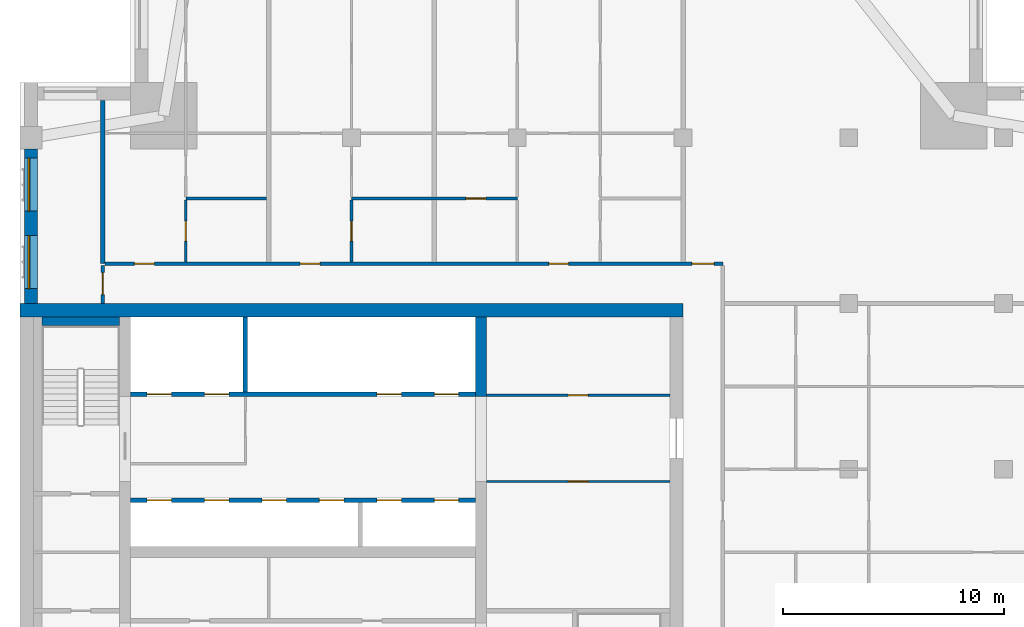
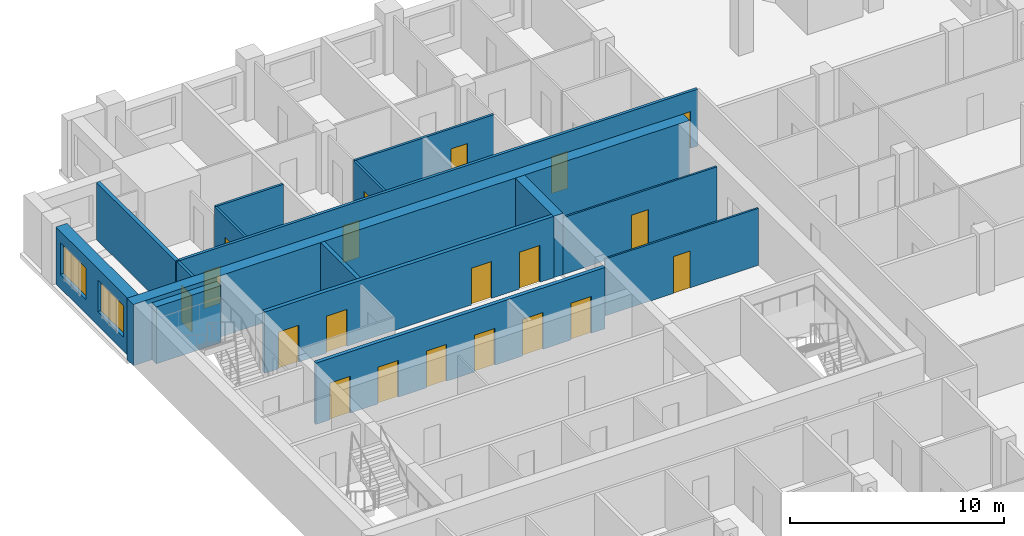
# One storey, part 6 of 11: 20 doors, 16 walls, 2 windows, 22 openings.
"""IFC4 building model written with IfcOpenShell, lengths in metres."""

from ifc_helpers import new_model, si_unit, direction, frame, frame_2d, origin, place, context, subcontext, project, spatial, rectangle, extrude, material, layer, layer_set, type_object, element, fill, save


model = new_model("IFC4")

# Units and contexts
model_context = context("Model", 3, precision=1e-05, world=origin(), true_north=direction((0.0, 1.0)))
body_context = subcontext(model_context, "Body", "Model", "MODEL_VIEW")
ifc_project = project(units=[si_unit("LENGTHUNIT", "METRE"), si_unit("AREAUNIT", "SQUARE_METRE"), si_unit("VOLUMEUNIT", "CUBIC_METRE"), si_unit("PLANEANGLEUNIT", "RADIAN"), si_unit("MASSUNIT", "GRAM", prefix="KILO")], contexts=[model_context])

# Site, building, storey
site_placement = place(None, origin())
site = spatial("IfcSite", under=ifc_project, at=site_placement, CompositionType="ELEMENT")
building_placement = place(site_placement, origin())
building = spatial("IfcBuilding", under=site, at=building_placement, Name="Tamorin Gate", CompositionType="ELEMENT")
storey_placement = place(building_placement, frame((0.0, 0.0, 244.199951171875)))
storey = spatial("IfcBuildingStorey", under=building, at=storey_placement, Name="L61", CompositionType="ELEMENT", Elevation=244.199951171875)

# Wall, openings, windows
ifc_material_1 = material(Name="Precast concrete C40/50", Category="concrete")
ifc_layer_1 = layer(ifc_material_1, 0.60009765625)
ifc_layer_set_1 = layer_set([ifc_layer_1], Name="Precast concrete C40/50")
wall_type_1 = type_object("IfcWallType", Name="Board-marked concrete facade panel 600", PredefinedType="SOLIDWALL", material=ifc_layer_set_1)
wall_1_placement = place(storey_placement, frame((30.5, 89.5, 0.0), z_axis=(0.0, 0.0, 1.0), x_axis=(0.0, -1.0, 0.0)))
wall_1 = element("IfcWall", 1, at=wall_1_placement, inside=storey, type_object=wall_type_1, Name="Facade panel", PredefinedType="SOLIDWALL", context=body_context, shape_type="SweptSolid", body=[
    extrude(rectangle(XDim=7.0, YDim=0.60009765625, at=frame_2d((3.5, 0.0))), origin(), (0.0, 0.0, 1.0), 3.25),
])
opening_1_placement = place(wall_1_placement, frame((3.925048828125, 0.0, 0.800048828125)))
opening_1 = element("IfcOpeningElement", 2, at=opening_1_placement, cuts=wall_1, Name="Opening WN1", PredefinedType="OPENING", context=body_context, shape_type="SweptSolid", body=[
    extrude(rectangle(XDim=2.39990234375, YDim=1.800048828125, at=frame_2d((1.199951171875, 0.89990234375))), frame((0.0, 0.31005859375, 0.0), z_axis=(0.0, -1.0, 0.0), x_axis=(1.0, 0.0, 0.0)), (0.0, 0.0, 1.0), 0.6201171875),
])
opening_2_placement = place(wall_1_placement, frame((0.425048828125, 0.0, 0.800048828125)))
opening_2 = element("IfcOpeningElement", 3, at=opening_2_placement, cuts=wall_1, Name="Opening WN1", PredefinedType="OPENING", context=body_context, shape_type="SweptSolid", body=[
    extrude(rectangle(XDim=2.39990234375, YDim=1.800048828125, at=frame_2d((1.199951171875, 0.89990234375))), frame((0.0, 0.31005859375, 0.0), z_axis=(0.0, -1.0, 0.0), x_axis=(1.0, 0.0, 0.0)), (0.0, 0.0, 1.0), 0.6201171875),
])
ifc_material_2 = material(Name="Clear glass in aluminium frame", Category="aluminium")
window_type = type_object("IfcWindowType", Name="Deep-set window 2400x1800", PartitioningType="SINGLE_PANEL", PredefinedType="WINDOW", material=ifc_material_2)
window_1_placement = place(opening_1_placement, origin())
window_1 = element("IfcWindow", 4, at=window_1_placement, inside=storey, type_object=window_type, Name="Deep-set window", OverallHeight=1.800048828125, OverallWidth=2.39990234375, PartitioningType="SINGLE_PANEL", PredefinedType="WINDOW", context=body_context, shape_type="SweptSolid", body=[
    extrude(rectangle(XDim=2.39990234375, YDim=1.800048828125, at=frame_2d((1.199951171875, 0.89990234375))), frame((0.0, -0.070068359375, 0.0), z_axis=(0.0, -1.0, 0.0), x_axis=(1.0, 0.0, 0.0)), (0.0, 0.0, 1.0), 0.06005859375),
])
fill(opening_1, window_1)
window_2_placement = place(opening_2_placement, origin())
window_2 = element("IfcWindow", 5, at=window_2_placement, inside=storey, type_object=window_type, Name="Deep-set window", OverallHeight=1.800048828125, OverallWidth=2.39990234375, PartitioningType="SINGLE_PANEL", PredefinedType="WINDOW", context=body_context, shape_type="SweptSolid", body=[
    extrude(rectangle(XDim=2.39990234375, YDim=1.800048828125, at=frame_2d((1.199951171875, 0.89990234375))), frame((0.0, -0.070068359375, 0.0), z_axis=(0.0, -1.0, 0.0), x_axis=(1.0, 0.0, 0.0)), (0.0, 0.0, 1.0), 0.06005859375),
])
fill(opening_2, window_2)

# Wall, openings, doors
ifc_material_3 = material(Name="Gypsum board partition")
ifc_layer_2 = layer(ifc_material_3, 0.14990234375)
ifc_layer_set_2 = layer_set([ifc_layer_2], Name="Corridor wall 150")
wall_type_2 = type_object("IfcWallType", Name="Corridor wall 150", PredefinedType="PARTITIONING", material=ifc_layer_set_2)
wall_2_placement = place(storey_placement, frame((33.85009765625, 84.300048828125, 0.0), z_axis=(0.0, 0.0, 1.0), x_axis=(1.0, 0.0, 0.0)))
wall_2 = element("IfcWall", 6, at=wall_2_placement, inside=storey, type_object=wall_type_2, Name="Corridor wall 150", PredefinedType="PARTITIONING", context=body_context, shape_type="SweptSolid", body=[
    extrude(rectangle(XDim=27.949951171875, YDim=0.14990234375, at=frame_2d((13.97509765625, 0.0))), origin(), (0.0, 0.0, 1.0), 3.25),
])
opening_3_placement = place(wall_2_placement, frame((1.324951171875, 0.0, 0.0)))
opening_3 = element("IfcOpeningElement", 7, at=opening_3_placement, cuts=wall_2, Name="Opening DR7022", PredefinedType="OPENING", context=body_context, shape_type="SweptSolid", body=[
    extrude(rectangle(XDim=0.89990234375, YDim=2.10009765625, at=frame_2d((0.449951171875, 1.050048828125))), frame((0.0, 0.0849609375, 0.0), z_axis=(0.0, -1.0, 0.0), x_axis=(1.0, 0.0, 0.0)), (0.0, 0.0, 1.0), 0.169921875),
])
opening_4_placement = place(wall_2_placement, frame((8.824951171875, 0.0, 0.0)))
opening_4 = element("IfcOpeningElement", 8, at=opening_4_placement, cuts=wall_2, Name="Opening DR7027", PredefinedType="OPENING", context=body_context, shape_type="SweptSolid", body=[
    extrude(rectangle(XDim=0.89990234375, YDim=2.10009765625, at=frame_2d((0.449951171875, 1.050048828125))), frame((0.0, 0.0849609375, 0.0), z_axis=(0.0, -1.0, 0.0), x_axis=(1.0, 0.0, 0.0)), (0.0, 0.0, 1.0), 0.169921875),
])
opening_5_placement = place(wall_2_placement, frame((20.074951171875, 0.0, 0.0)))
opening_5 = element("IfcOpeningElement", 9, at=opening_5_placement, cuts=wall_2, Name="Opening DR7034", PredefinedType="OPENING", context=body_context, shape_type="SweptSolid", body=[
    extrude(rectangle(XDim=0.89990234375, YDim=2.10009765625, at=frame_2d((0.449951171875, 1.050048828125))), frame((0.0, 0.0849609375, 0.0), z_axis=(0.0, -1.0, 0.0), x_axis=(1.0, 0.0, 0.0)), (0.0, 0.0, 1.0), 0.169921875),
])
opening_6_placement = place(wall_2_placement, frame((26.550048828125, 0.0, 0.0)))
opening_6 = element("IfcOpeningElement", 10, at=opening_6_placement, cuts=wall_2, Name="Opening DR7040", PredefinedType="OPENING", context=body_context, shape_type="SweptSolid", body=[
    extrude(rectangle(XDim=1.0, YDim=2.10009765625, at=frame_2d((0.5, 1.050048828125))), frame((0.0, 0.0849609375, 0.0), z_axis=(0.0, -1.0, 0.0), x_axis=(1.0, 0.0, 0.0)), (0.0, 0.0, 1.0), 0.169921875),
])
ifc_material_4 = material(Name="Timber door leaf", Category="wood")
door_type_1 = type_object("IfcDoorType", Name="Door 1000 x 2100 FD30S", OperationType="NOTDEFINED", PredefinedType="DOOR", material=ifc_material_4)
door_1_placement = place(opening_6_placement, origin())
door_1 = element("IfcDoor", 11, at=door_1_placement, inside=storey, type_object=door_type_1, Name="Door DR7040", OperationType="SINGLE_SWING_LEFT", OverallHeight=2.10009765625, OverallWidth=1.0, PredefinedType="DOOR", context=body_context, shape_type="SweptSolid", body=[
    extrude(rectangle(XDim=1.0, YDim=2.10009765625, at=frame_2d((0.5, 1.050048828125))), frame((0.0, 0.02490234375, 0.0), z_axis=(0.0, -1.0, 0.0), x_axis=(1.0, 0.0, 0.0)), (0.0, 0.0, 1.0), 0.050048828125),
])
fill(opening_6, door_1)
door_type_2 = type_object("IfcDoorType", Name="Door 900 x 2100 FD30S", OperationType="NOTDEFINED", PredefinedType="DOOR", material=ifc_material_4)
door_2_placement = place(opening_3_placement, origin())
door_2 = element("IfcDoor", 12, at=door_2_placement, inside=storey, type_object=door_type_2, Name="Door DR7022", OperationType="SINGLE_SWING_LEFT", OverallHeight=2.10009765625, OverallWidth=0.89990234375, PredefinedType="DOOR", context=body_context, shape_type="SweptSolid", body=[
    extrude(rectangle(XDim=0.89990234375, YDim=2.10009765625, at=frame_2d((0.449951171875, 1.050048828125))), frame((0.0, 0.02490234375, 0.0), z_axis=(0.0, -1.0, 0.0), x_axis=(1.0, 0.0, 0.0)), (0.0, 0.0, 1.0), 0.050048828125),
])
fill(opening_3, door_2)
door_3_placement = place(opening_4_placement, origin())
door_3 = element("IfcDoor", 13, at=door_3_placement, inside=storey, type_object=door_type_2, Name="Door DR7027", OperationType="SINGLE_SWING_LEFT", OverallHeight=2.10009765625, OverallWidth=0.89990234375, PredefinedType="DOOR", context=body_context, shape_type="SweptSolid", body=[
    extrude(rectangle(XDim=0.89990234375, YDim=2.10009765625, at=frame_2d((0.449951171875, 1.050048828125))), frame((0.0, 0.02490234375, 0.0), z_axis=(0.0, -1.0, 0.0), x_axis=(1.0, 0.0, 0.0)), (0.0, 0.0, 1.0), 0.050048828125),
])
fill(opening_4, door_3)
door_4_placement = place(opening_5_placement, origin())
door_4 = element("IfcDoor", 14, at=door_4_placement, inside=storey, type_object=door_type_2, Name="Door DR7034", OperationType="SINGLE_SWING_LEFT", OverallHeight=2.10009765625, OverallWidth=0.89990234375, PredefinedType="DOOR", context=body_context, shape_type="SweptSolid", body=[
    extrude(rectangle(XDim=0.89990234375, YDim=2.10009765625, at=frame_2d((0.449951171875, 1.050048828125))), frame((0.0, 0.02490234375, 0.0), z_axis=(0.0, -1.0, 0.0), x_axis=(1.0, 0.0, 0.0)), (0.0, 0.0, 1.0), 0.050048828125),
])
fill(opening_5, door_4)

# Wall, opening, door
wall_3_placement = place(storey_placement, frame((33.75, 82.5, 0.0), z_axis=(0.0, 0.0, 1.0), x_axis=(0.0, 1.0, 0.0)))
wall_3 = element("IfcWall", 15, at=wall_3_placement, inside=storey, type_object=wall_type_2, Name="Corridor wall 150", PredefinedType="PARTITIONING", context=body_context, shape_type="SweptSolid", body=[
    extrude(rectangle(XDim=1.72509765625, YDim=0.14990234375, at=frame_2d((0.862548828125, 0.0))), origin(), (0.0, 0.0, 1.0), 3.25),
])
opening_7_placement = place(wall_3_placement, frame((0.39990234375, 0.0, 0.0)))
opening_7 = element("IfcOpeningElement", 16, at=opening_7_placement, cuts=wall_3, Name="Opening DR7021", PredefinedType="OPENING", context=body_context, shape_type="SweptSolid", body=[
    extrude(rectangle(XDim=1.0, YDim=2.10009765625, at=frame_2d((0.5, 1.050048828125))), frame((0.0, 0.0849609375, 0.0), z_axis=(0.0, -1.0, 0.0), x_axis=(1.0, 0.0, 0.0)), (0.0, 0.0, 1.0), 0.169921875),
])
door_5_placement = place(opening_7_placement, origin())
door_5 = element("IfcDoor", 17, at=door_5_placement, inside=storey, type_object=door_type_1, Name="Door DR7021", OperationType="SINGLE_SWING_LEFT", OverallHeight=2.10009765625, OverallWidth=1.0, PredefinedType="DOOR", context=body_context, shape_type="SweptSolid", body=[
    extrude(rectangle(XDim=1.0, YDim=2.10009765625, at=frame_2d((0.5, 1.050048828125))), frame((0.0, 0.02490234375, 0.0), z_axis=(0.0, -1.0, 0.0), x_axis=(1.0, 0.0, 0.0)), (0.0, 0.0, 1.0), 0.050048828125),
])
fill(opening_7, door_5)

# Wall
ifc_layer_3 = layer(ifc_material_3, 0.199951171875)
ifc_layer_set_3 = layer_set([ifc_layer_3], Name="Demising wall 200")
wall_type_3 = type_object("IfcWallType", Name="Demising wall 200", PredefinedType="PARTITIONING", material=ifc_layer_set_3)
wall_4_placement = place(storey_placement, frame((33.75, 84.300048828125, 0.0), z_axis=(0.0, 0.0, 1.0), x_axis=(0.0, 1.0, 0.0)))
element("IfcWall", 18, at=wall_4_placement, inside=storey, type_object=wall_type_3, Name="Demising wall 200", PredefinedType="PARTITIONING", context=body_context, shape_type="SweptSolid", body=[
    extrude(rectangle(XDim=7.389892578125, YDim=0.199951171875, at=frame_2d((3.69482421875, 0.0))), origin(), (0.0, 0.0, 1.0), 3.25),
])

# Wall, openings, doors
ifc_material_5 = material(Name="Concrete C32/40", Category="concrete")
ifc_layer_4 = layer(ifc_material_5, 0.199951171875)
ifc_layer_set_4 = layer_set([ifc_layer_4], Name="Lift lobby face wall 200 EI 120")
wall_type_4 = type_object("IfcWallType", Name="Lift lobby face wall 200 EI 120", PredefinedType="SOLIDWALL", material=ifc_layer_set_4)
wall_5_placement = place(storey_placement, frame((35.0, 73.60009765625, 0.0), z_axis=(0.0, 0.0, 1.0), x_axis=(1.0, 0.0, 0.0)))
wall_5 = element("IfcWall", 19, at=wall_5_placement, inside=storey, type_object=wall_type_4, Name="Lift lobby face wall", PredefinedType="SOLIDWALL", context=body_context, shape_type="SweptSolid", body=[
    extrude(rectangle(XDim=15.60009765625, YDim=0.199951171875, at=frame_2d((7.800048828125, 0.0))), origin(), (0.0, 0.0, 1.0), 3.5),
])
opening_8_placement = place(wall_5_placement, frame((0.75, 0.0, 0.0)))
opening_8 = element("IfcOpeningElement", 20, at=opening_8_placement, cuts=wall_5, Name="Opening LD11", PredefinedType="OPENING", context=body_context, shape_type="SweptSolid", body=[
    extrude(rectangle(XDim=1.10009765625, YDim=2.10009765625, at=frame_2d((0.550048828125, 1.050048828125))), frame((0.0, 0.10986328125, 0.0), z_axis=(0.0, -1.0, 0.0), x_axis=(1.0, 0.0, 0.0)), (0.0, 0.0, 1.0), 0.219970703125),
])
opening_9_placement = place(wall_5_placement, frame((3.35009765625, 0.0, 0.0)))
opening_9 = element("IfcOpeningElement", 21, at=opening_9_placement, cuts=wall_5, Name="Opening LD12", PredefinedType="OPENING", context=body_context, shape_type="SweptSolid", body=[
    extrude(rectangle(XDim=1.10009765625, YDim=2.10009765625, at=frame_2d((0.550048828125, 1.050048828125))), frame((0.0, 0.10986328125, 0.0), z_axis=(0.0, -1.0, 0.0), x_axis=(1.0, 0.0, 0.0)), (0.0, 0.0, 1.0), 0.219970703125),
])
opening_10_placement = place(wall_5_placement, frame((5.949951171875, 0.0, 0.0)))
opening_10 = element("IfcOpeningElement", 22, at=opening_10_placement, cuts=wall_5, Name="Opening LD13", PredefinedType="OPENING", context=body_context, shape_type="SweptSolid", body=[
    extrude(rectangle(XDim=1.10009765625, YDim=2.10009765625, at=frame_2d((0.550048828125, 1.050048828125))), frame((0.0, 0.10986328125, 0.0), z_axis=(0.0, -1.0, 0.0), x_axis=(1.0, 0.0, 0.0)), (0.0, 0.0, 1.0), 0.219970703125),
])
opening_11_placement = place(wall_5_placement, frame((8.550048828125, 0.0, 0.0)))
opening_11 = element("IfcOpeningElement", 23, at=opening_11_placement, cuts=wall_5, Name="Opening LD14", PredefinedType="OPENING", context=body_context, shape_type="SweptSolid", body=[
    extrude(rectangle(XDim=1.10009765625, YDim=2.10009765625, at=frame_2d((0.550048828125, 1.050048828125))), frame((0.0, 0.10986328125, 0.0), z_axis=(0.0, -1.0, 0.0), x_axis=(1.0, 0.0, 0.0)), (0.0, 0.0, 1.0), 0.219970703125),
])
opening_12_placement = place(wall_5_placement, frame((11.14990234375, 0.0, 0.0)))
opening_12 = element("IfcOpeningElement", 24, at=opening_12_placement, cuts=wall_5, Name="Opening LD15", PredefinedType="OPENING", context=body_context, shape_type="SweptSolid", body=[
    extrude(rectangle(XDim=1.10009765625, YDim=2.10009765625, at=frame_2d((0.550048828125, 1.050048828125))), frame((0.0, 0.10986328125, 0.0), z_axis=(0.0, -1.0, 0.0), x_axis=(1.0, 0.0, 0.0)), (0.0, 0.0, 1.0), 0.219970703125),
])
opening_13_placement = place(wall_5_placement, frame((13.75, 0.0, 0.0)))
opening_13 = element("IfcOpeningElement", 25, at=opening_13_placement, cuts=wall_5, Name="Opening LD16", PredefinedType="OPENING", context=body_context, shape_type="SweptSolid", body=[
    extrude(rectangle(XDim=1.10009765625, YDim=2.10009765625, at=frame_2d((0.550048828125, 1.050048828125))), frame((0.0, 0.10986328125, 0.0), z_axis=(0.0, -1.0, 0.0), x_axis=(1.0, 0.0, 0.0)), (0.0, 0.0, 1.0), 0.219970703125),
])
ifc_material_6 = material(Name="Stainless steel sliding door", Category="steel")
door_type_3 = type_object("IfcDoorType", Name="Lift landing door 1100 x 2100 E 90", OperationType="DOUBLE_DOOR_SLIDING", PredefinedType="DOOR", material=ifc_material_6)
door_6_placement = place(opening_8_placement, origin())
door_6 = element("IfcDoor", 26, at=door_6_placement, inside=storey, type_object=door_type_3, Name="HR1 landing door", OperationType="DOUBLE_DOOR_SLIDING", OverallHeight=2.10009765625, OverallWidth=1.10009765625, PredefinedType="DOOR", context=body_context, shape_type="SweptSolid", body=[
    extrude(rectangle(XDim=1.10009765625, YDim=2.10009765625, at=frame_2d((0.550048828125, 1.050048828125))), frame((0.0, 0.02490234375, 0.0), z_axis=(0.0, -1.0, 0.0), x_axis=(1.0, 0.0, 0.0)), (0.0, 0.0, 1.0), 0.050048828125),
])
fill(opening_8, door_6)
door_7_placement = place(opening_9_placement, origin())
door_7 = element("IfcDoor", 27, at=door_7_placement, inside=storey, type_object=door_type_3, Name="HR2 landing door", OperationType="DOUBLE_DOOR_SLIDING", OverallHeight=2.10009765625, OverallWidth=1.10009765625, PredefinedType="DOOR", context=body_context, shape_type="SweptSolid", body=[
    extrude(rectangle(XDim=1.10009765625, YDim=2.10009765625, at=frame_2d((0.550048828125, 1.050048828125))), frame((0.0, 0.02490234375, 0.0), z_axis=(0.0, -1.0, 0.0), x_axis=(1.0, 0.0, 0.0)), (0.0, 0.0, 1.0), 0.050048828125),
])
fill(opening_9, door_7)
door_8_placement = place(opening_10_placement, origin())
door_8 = element("IfcDoor", 28, at=door_8_placement, inside=storey, type_object=door_type_3, Name="HR3 landing door", OperationType="DOUBLE_DOOR_SLIDING", OverallHeight=2.10009765625, OverallWidth=1.10009765625, PredefinedType="DOOR", context=body_context, shape_type="SweptSolid", body=[
    extrude(rectangle(XDim=1.10009765625, YDim=2.10009765625, at=frame_2d((0.550048828125, 1.050048828125))), frame((0.0, 0.02490234375, 0.0), z_axis=(0.0, -1.0, 0.0), x_axis=(1.0, 0.0, 0.0)), (0.0, 0.0, 1.0), 0.050048828125),
])
fill(opening_10, door_8)
door_9_placement = place(opening_11_placement, origin())
door_9 = element("IfcDoor", 29, at=door_9_placement, inside=storey, type_object=door_type_3, Name="HR4 landing door", OperationType="DOUBLE_DOOR_SLIDING", OverallHeight=2.10009765625, OverallWidth=1.10009765625, PredefinedType="DOOR", context=body_context, shape_type="SweptSolid", body=[
    extrude(rectangle(XDim=1.10009765625, YDim=2.10009765625, at=frame_2d((0.550048828125, 1.050048828125))), frame((0.0, 0.02490234375, 0.0), z_axis=(0.0, -1.0, 0.0), x_axis=(1.0, 0.0, 0.0)), (0.0, 0.0, 1.0), 0.050048828125),
])
fill(opening_11, door_9)
door_10_placement = place(opening_12_placement, origin())
door_10 = element("IfcDoor", 30, at=door_10_placement, inside=storey, type_object=door_type_3, Name="HR5 landing door", OperationType="DOUBLE_DOOR_SLIDING", OverallHeight=2.10009765625, OverallWidth=1.10009765625, PredefinedType="DOOR", context=body_context, shape_type="SweptSolid", body=[
    extrude(rectangle(XDim=1.10009765625, YDim=2.10009765625, at=frame_2d((0.550048828125, 1.050048828125))), frame((0.0, 0.02490234375, 0.0), z_axis=(0.0, -1.0, 0.0), x_axis=(1.0, 0.0, 0.0)), (0.0, 0.0, 1.0), 0.050048828125),
])
fill(opening_12, door_10)
door_11_placement = place(opening_13_placement, origin())
door_11 = element("IfcDoor", 31, at=door_11_placement, inside=storey, type_object=door_type_3, Name="HR6 landing door", OperationType="DOUBLE_DOOR_SLIDING", OverallHeight=2.10009765625, OverallWidth=1.10009765625, PredefinedType="DOOR", context=body_context, shape_type="SweptSolid", body=[
    extrude(rectangle(XDim=1.10009765625, YDim=2.10009765625, at=frame_2d((0.550048828125, 1.050048828125))), frame((0.0, 0.02490234375, 0.0), z_axis=(0.0, -1.0, 0.0), x_axis=(1.0, 0.0, 0.0)), (0.0, 0.0, 1.0), 0.050048828125),
])
fill(opening_13, door_11)

wall_6_placement = place(storey_placement, frame((35.0, 78.39990234375, 0.0), z_axis=(0.0, 0.0, 1.0), x_axis=(1.0, 0.0, 0.0)))
wall_6 = element("IfcWall", 32, at=wall_6_placement, inside=storey, type_object=wall_type_4, Name="Lift lobby face wall", PredefinedType="SOLIDWALL", context=body_context, shape_type="SweptSolid", body=[
    extrude(rectangle(XDim=15.60009765625, YDim=0.199951171875, at=frame_2d((7.800048828125, 0.0))), origin(), (0.0, 0.0, 1.0), 3.5),
])
opening_14_placement = place(wall_6_placement, frame((0.75, 0.0, 0.0)))
opening_14 = element("IfcOpeningElement", 33, at=opening_14_placement, cuts=wall_6, Name="Opening LD17", PredefinedType="OPENING", context=body_context, shape_type="SweptSolid", body=[
    extrude(rectangle(XDim=1.10009765625, YDim=2.10009765625, at=frame_2d((0.550048828125, 1.050048828125))), frame((0.0, 0.10986328125, 0.0), z_axis=(0.0, -1.0, 0.0), x_axis=(1.0, 0.0, 0.0)), (0.0, 0.0, 1.0), 0.219970703125),
])
opening_15_placement = place(wall_6_placement, frame((3.35009765625, 0.0, 0.0)))
opening_15 = element("IfcOpeningElement", 34, at=opening_15_placement, cuts=wall_6, Name="Opening LD18", PredefinedType="OPENING", context=body_context, shape_type="SweptSolid", body=[
    extrude(rectangle(XDim=1.10009765625, YDim=2.10009765625, at=frame_2d((0.550048828125, 1.050048828125))), frame((0.0, 0.10986328125, 0.0), z_axis=(0.0, -1.0, 0.0), x_axis=(1.0, 0.0, 0.0)), (0.0, 0.0, 1.0), 0.219970703125),
])
opening_16_placement = place(wall_6_placement, frame((11.14990234375, 0.0, 0.0)))
opening_16 = element("IfcOpeningElement", 35, at=opening_16_placement, cuts=wall_6, Name="Opening LD21", PredefinedType="OPENING", context=body_context, shape_type="SweptSolid", body=[
    extrude(rectangle(XDim=1.10009765625, YDim=2.10009765625, at=frame_2d((0.550048828125, 1.050048828125))), frame((0.0, 0.10986328125, 0.0), z_axis=(0.0, -1.0, 0.0), x_axis=(1.0, 0.0, 0.0)), (0.0, 0.0, 1.0), 0.219970703125),
])
opening_17_placement = place(wall_6_placement, frame((13.75, 0.0, 0.0)))
opening_17 = element("IfcOpeningElement", 36, at=opening_17_placement, cuts=wall_6, Name="Opening LD22", PredefinedType="OPENING", context=body_context, shape_type="SweptSolid", body=[
    extrude(rectangle(XDim=1.10009765625, YDim=2.10009765625, at=frame_2d((0.550048828125, 1.050048828125))), frame((0.0, 0.10986328125, 0.0), z_axis=(0.0, -1.0, 0.0), x_axis=(1.0, 0.0, 0.0)), (0.0, 0.0, 1.0), 0.219970703125),
])
door_12_placement = place(opening_14_placement, origin())
door_12 = element("IfcDoor", 37, at=door_12_placement, inside=storey, type_object=door_type_3, Name="FF1 landing door", OperationType="DOUBLE_DOOR_SLIDING", OverallHeight=2.10009765625, OverallWidth=1.10009765625, PredefinedType="DOOR", context=body_context, shape_type="SweptSolid", body=[
    extrude(rectangle(XDim=1.10009765625, YDim=2.10009765625, at=frame_2d((0.550048828125, 1.050048828125))), frame((0.0, 0.02490234375, 0.0), z_axis=(0.0, -1.0, 0.0), x_axis=(1.0, 0.0, 0.0)), (0.0, 0.0, 1.0), 0.050048828125),
])
fill(opening_14, door_12)
door_13_placement = place(opening_15_placement, origin())
door_13 = element("IfcDoor", 38, at=door_13_placement, inside=storey, type_object=door_type_3, Name="FF2 landing door", OperationType="DOUBLE_DOOR_SLIDING", OverallHeight=2.10009765625, OverallWidth=1.10009765625, PredefinedType="DOOR", context=body_context, shape_type="SweptSolid", body=[
    extrude(rectangle(XDim=1.10009765625, YDim=2.10009765625, at=frame_2d((0.550048828125, 1.050048828125))), frame((0.0, 0.02490234375, 0.0), z_axis=(0.0, -1.0, 0.0), x_axis=(1.0, 0.0, 0.0)), (0.0, 0.0, 1.0), 0.050048828125),
])
fill(opening_15, door_13)
door_14_placement = place(opening_16_placement, origin())
door_14 = element("IfcDoor", 39, at=door_14_placement, inside=storey, type_object=door_type_3, Name="SV1 landing door", OperationType="DOUBLE_DOOR_SLIDING", OverallHeight=2.10009765625, OverallWidth=1.10009765625, PredefinedType="DOOR", context=body_context, shape_type="SweptSolid", body=[
    extrude(rectangle(XDim=1.10009765625, YDim=2.10009765625, at=frame_2d((0.550048828125, 1.050048828125))), frame((0.0, 0.02490234375, 0.0), z_axis=(0.0, -1.0, 0.0), x_axis=(1.0, 0.0, 0.0)), (0.0, 0.0, 1.0), 0.050048828125),
])
fill(opening_16, door_14)
door_15_placement = place(opening_17_placement, origin())
door_15 = element("IfcDoor", 40, at=door_15_placement, inside=storey, type_object=door_type_3, Name="SV2 landing door", OperationType="DOUBLE_DOOR_SLIDING", OverallHeight=2.10009765625, OverallWidth=1.10009765625, PredefinedType="DOOR", context=body_context, shape_type="SweptSolid", body=[
    extrude(rectangle(XDim=1.10009765625, YDim=2.10009765625, at=frame_2d((0.550048828125, 1.050048828125))), frame((0.0, 0.02490234375, 0.0), z_axis=(0.0, -1.0, 0.0), x_axis=(1.0, 0.0, 0.0)), (0.0, 0.0, 1.0), 0.050048828125),
])
fill(opening_17, door_15)

# Walls
ifc_layer_5 = layer(ifc_material_5, 0.199951171875)
ifc_layer_set_5 = layer_set([ifc_layer_5], Name="Lift shaft wall 200 EI 120")
wall_type_5 = type_object("IfcWallType", Name="Lift shaft wall 200 EI 120", PredefinedType="SOLIDWALL", material=ifc_layer_set_5)
wall_7_placement = place(storey_placement, frame((40.199951171875, 78.5, 0.0), z_axis=(0.0, 0.0, 1.0), x_axis=(0.0, 1.0, 0.0)))
element("IfcWall", 41, at=wall_7_placement, inside=storey, type_object=wall_type_5, Name="Lift shaft wall", PredefinedType="SOLIDWALL", context=body_context, shape_type="SweptSolid", body=[
    extrude(rectangle(XDim=3.39990234375, YDim=0.199951171875, at=frame_2d((1.699951171875, 0.0))), origin(), (0.0, 0.0, 1.0), 3.5),
])
ifc_material_7 = material(Name="Concrete C50/60", Category="concrete")
ifc_layer_6 = layer(ifc_material_7, 0.5)
ifc_layer_set_6 = layer_set([ifc_layer_6], Name="RC core internal wall 500 C50/60")
wall_type_6 = type_object("IfcWallType", Name="RC core internal wall 500 C50/60", PredefinedType="SHEAR", material=ifc_layer_set_6)
wall_8_placement = place(storey_placement, frame((50.85009765625, 78.300048828125, 0.0), z_axis=(0.0, 0.0, 1.0), x_axis=(0.0, 1.0, 0.0)))
element("IfcWall", 42, at=wall_8_placement, inside=storey, type_object=wall_type_6, Name="Core cross wall L61", PredefinedType="SHEAR", context=body_context, shape_type="SweptSolid", body=[
    extrude(rectangle(XDim=3.599853515625, YDim=0.5, at=frame_2d((1.7998046875, 0.0))), origin(), (0.0, 0.0, 1.0), 3.5),
])
ifc_layer_7 = layer(ifc_material_7, 0.60009765625)
ifc_layer_set_7 = layer_set([ifc_layer_7], Name="RC core wall 600 C50/60")
wall_type_7 = type_object("IfcWallType", Name="RC core wall 600 C50/60", PredefinedType="SHEAR", material=ifc_layer_set_7)
wall_9_placement = place(storey_placement, frame((30.0, 82.199951171875, 0.0), z_axis=(0.0, 0.0, 1.0), x_axis=(1.0, 0.0, 0.0)))
element("IfcWall", 43, at=wall_9_placement, inside=storey, type_object=wall_type_7, Name="Core wall L61", PredefinedType="SHEAR", context=body_context, shape_type="SweptSolid", body=[
    extrude(rectangle(XDim=30.0, YDim=0.60009765625, at=frame_2d((15.0, 0.0))), origin(), (0.0, 0.0, 1.0), 3.5),
])

# Wall, opening, door
ifc_layer_8 = layer(ifc_material_3, 0.10009765625)
ifc_layer_set_8 = layer_set([ifc_layer_8], Name="Service room partition 100 EI 60")
wall_type_8 = type_object("IfcWallType", Name="Service room partition 100 EI 60", PredefinedType="PARTITIONING", material=ifc_layer_set_8)
wall_10_placement = place(storey_placement, frame((51.10009765625, 74.449951171875, 0.0), z_axis=(0.0, 0.0, 1.0), x_axis=(1.0, 0.0, 0.0)))
wall_10 = element("IfcWall", 44, at=wall_10_placement, inside=storey, type_object=wall_type_8, Name="Service room wall", PredefinedType="PARTITIONING", context=body_context, shape_type="SweptSolid", body=[
    extrude(rectangle(XDim=8.2998046875, YDim=0.10009765625, at=frame_2d((4.14990234375, 0.0))), origin(), (0.0, 0.0, 1.0), 3.25),
])
opening_18_placement = place(wall_10_placement, frame((3.699951171875, 0.0, 0.0)))
opening_18 = element("IfcOpeningElement", 45, at=opening_18_placement, cuts=wall_10, Name="Opening DR1", PredefinedType="OPENING", context=body_context, shape_type="SweptSolid", body=[
    extrude(rectangle(XDim=0.89990234375, YDim=2.10009765625, at=frame_2d((0.449951171875, 1.050048828125))), frame((0.0, 0.06005859375, 0.0), z_axis=(0.0, -1.0, 0.0), x_axis=(1.0, 0.0, 0.0)), (0.0, 0.0, 1.0), 0.1201171875),
])
ifc_material_8 = material(Name="Steel fire door", Category="steel")
door_type_4 = type_object("IfcDoorType", Name="Riser access door 900 x 2100 EI 120", OperationType="SINGLE_SWING_LEFT", PredefinedType="DOOR", material=ifc_material_8)
door_16_placement = place(opening_18_placement, origin())
door_16 = element("IfcDoor", 46, at=door_16_placement, inside=storey, type_object=door_type_4, Name="Duct riser door", OperationType="SINGLE_SWING_LEFT", OverallHeight=2.10009765625, OverallWidth=0.89990234375, PredefinedType="DOOR", context=body_context, shape_type="SweptSolid", body=[
    extrude(rectangle(XDim=0.89990234375, YDim=2.10009765625, at=frame_2d((0.449951171875, 1.050048828125))), frame((0.0, 0.02490234375, 0.0), z_axis=(0.0, -1.0, 0.0), x_axis=(1.0, 0.0, 0.0)), (0.0, 0.0, 1.0), 0.050048828125),
])
fill(opening_18, door_16)

wall_11_placement = place(storey_placement, frame((51.10009765625, 78.35009765625, 0.0), z_axis=(0.0, 0.0, 1.0), x_axis=(1.0, 0.0, 0.0)))
wall_11 = element("IfcWall", 47, at=wall_11_placement, inside=storey, type_object=wall_type_8, Name="Service room wall", PredefinedType="PARTITIONING", context=body_context, shape_type="SweptSolid", body=[
    extrude(rectangle(XDim=8.2998046875, YDim=0.10009765625, at=frame_2d((4.14990234375, 0.0))), origin(), (0.0, 0.0, 1.0), 3.25),
])
opening_19_placement = place(wall_11_placement, frame((3.699951171875, 0.0, 0.0)))
opening_19 = element("IfcOpeningElement", 48, at=opening_19_placement, cuts=wall_11, Name="Opening DK1", PredefinedType="OPENING", context=body_context, shape_type="SweptSolid", body=[
    extrude(rectangle(XDim=0.89990234375, YDim=2.10009765625, at=frame_2d((0.449951171875, 1.050048828125))), frame((0.0, 0.06005859375, 0.0), z_axis=(0.0, -1.0, 0.0), x_axis=(1.0, 0.0, 0.0)), (0.0, 0.0, 1.0), 0.1201171875),
])
ifc_material_9 = material(Name="Timber fire door", Category="wood")
door_type_5 = type_object("IfcDoorType", Name="Service room door 900 x 2100 EI 60", OperationType="SINGLE_SWING_LEFT", PredefinedType="DOOR", material=ifc_material_9)
door_17_placement = place(opening_19_placement, origin())
door_17 = element("IfcDoor", 49, at=door_17_placement, inside=storey, type_object=door_type_5, Name="Door Linen store", OperationType="SINGLE_SWING_LEFT", OverallHeight=2.10009765625, OverallWidth=0.89990234375, PredefinedType="DOOR", context=body_context, shape_type="SweptSolid", body=[
    extrude(rectangle(XDim=0.89990234375, YDim=2.10009765625, at=frame_2d((0.449951171875, 1.050048828125))), frame((0.0, 0.02490234375, 0.0), z_axis=(0.0, -1.0, 0.0), x_axis=(1.0, 0.0, 0.0)), (0.0, 0.0, 1.0), 0.050048828125),
])
fill(opening_19, door_17)

# Walls
ifc_layer_9 = layer(ifc_material_7, 0.39990234375)
ifc_layer_set_9 = layer_set([ifc_layer_9], Name="Stair lining wall 400 EI 120 C50/60")
wall_type_9 = type_object("IfcWallType", Name="Stair lining wall 400 EI 120 C50/60", PredefinedType="SOLIDWALL", material=ifc_layer_set_9)
wall_12_placement = place(storey_placement, frame((31.0, 81.699951171875, 0.0), z_axis=(0.0, 0.0, 1.0), x_axis=(1.0, 0.0, 0.0)))
element("IfcWall", 50, at=wall_12_placement, inside=storey, type_object=wall_type_9, Name="Stair lining wall", PredefinedType="SOLIDWALL", context=body_context, shape_type="SweptSolid", body=[
    extrude(rectangle(XDim=3.5, YDim=0.39990234375, at=frame_2d((1.75, 0.0))), origin(), (0.0, 0.0, 1.0), 3.25),
])
ifc_layer_10 = layer(ifc_material_3, 0.125)
ifc_layer_set_10 = layer_set([ifc_layer_10], Name="Wet wall 125")
wall_type_10 = type_object("IfcWallType", Name="Wet wall 125", PredefinedType="PARTITIONING", material=ifc_layer_set_10)
wall_13_placement = place(storey_placement, frame((37.5, 87.25, 0.0), z_axis=(0.0, 0.0, 1.0), x_axis=(1.0, 0.0, 0.0)))
element("IfcWall", 51, at=wall_13_placement, inside=storey, type_object=wall_type_10, Name="Wet wall 125", PredefinedType="PARTITIONING", context=body_context, shape_type="SweptSolid", body=[
    extrude(rectangle(XDim=3.64990234375, YDim=0.125, at=frame_2d((1.824951171875, 0.0))), origin(), (0.0, 0.0, 1.0), 3.25),
])

# Wall, opening, door
wall_14_placement = place(storey_placement, frame((45.0, 87.25, 0.0), z_axis=(0.0, 0.0, 1.0), x_axis=(1.0, 0.0, 0.0)))
wall_14 = element("IfcWall", 52, at=wall_14_placement, inside=storey, type_object=wall_type_10, Name="Wet wall 125", PredefinedType="PARTITIONING", context=body_context, shape_type="SweptSolid", body=[
    extrude(rectangle(XDim=7.5, YDim=0.125, at=frame_2d((3.75, 0.0))), origin(), (0.0, 0.0, 1.0), 3.25),
])
opening_20_placement = place(wall_14_placement, frame((5.175048828125, 0.0, 0.0)))
opening_20 = element("IfcOpeningElement", 53, at=opening_20_placement, cuts=wall_14, Name="Opening DR7033", PredefinedType="OPENING", context=body_context, shape_type="SweptSolid", body=[
    extrude(rectangle(XDim=0.89990234375, YDim=2.10009765625, at=frame_2d((0.449951171875, 1.050048828125))), frame((0.0, 0.072509765625, 0.0), z_axis=(0.0, -1.0, 0.0), x_axis=(1.0, 0.0, 0.0)), (0.0, 0.0, 1.0), 0.14501953125),
])
door_type_6 = type_object("IfcDoorType", Name="Door 900 x 2100", OperationType="NOTDEFINED", PredefinedType="DOOR", material=ifc_material_4)
door_18_placement = place(opening_20_placement, origin())
door_18 = element("IfcDoor", 54, at=door_18_placement, inside=storey, type_object=door_type_6, Name="Door DR7033", OperationType="SINGLE_SWING_RIGHT", OverallHeight=2.10009765625, OverallWidth=0.89990234375, PredefinedType="DOOR", context=body_context, shape_type="SweptSolid", body=[
    extrude(rectangle(XDim=0.89990234375, YDim=2.10009765625, at=frame_2d((0.449951171875, 1.050048828125))), frame((0.0, 0.02490234375, 0.0), z_axis=(0.0, -1.0, 0.0), x_axis=(1.0, 0.0, 0.0)), (0.0, 0.0, 1.0), 0.050048828125),
])
fill(opening_20, door_18)

wall_15_placement = place(storey_placement, frame((37.5, 84.375, 0.0), z_axis=(0.0, 0.0, 1.0), x_axis=(0.0, 1.0, 0.0)))
wall_15 = element("IfcWall", 55, at=wall_15_placement, inside=storey, type_object=wall_type_10, Name="Wet wall 125", PredefinedType="PARTITIONING", context=body_context, shape_type="SweptSolid", body=[
    extrude(rectangle(XDim=2.8125, YDim=0.125, at=frame_2d((1.40625, 0.0))), origin(), (0.0, 0.0, 1.0), 3.25),
])
opening_21_placement = place(wall_15_placement, frame((0.949951171875, 0.0, 0.0)))
opening_21 = element("IfcOpeningElement", 56, at=opening_21_placement, cuts=wall_15, Name="Opening DR7025", PredefinedType="OPENING", context=body_context, shape_type="SweptSolid", body=[
    extrude(rectangle(XDim=0.89990234375, YDim=2.10009765625, at=frame_2d((0.449951171875, 1.050048828125))), frame((0.0, 0.072509765625, 0.0), z_axis=(0.0, -1.0, 0.0), x_axis=(1.0, 0.0, 0.0)), (0.0, 0.0, 1.0), 0.14501953125),
])
door_19_placement = place(opening_21_placement, origin())
door_19 = element("IfcDoor", 57, at=door_19_placement, inside=storey, type_object=door_type_6, Name="Door DR7025", OperationType="SINGLE_SWING_RIGHT", OverallHeight=2.10009765625, OverallWidth=0.89990234375, PredefinedType="DOOR", context=body_context, shape_type="SweptSolid", body=[
    extrude(rectangle(XDim=0.89990234375, YDim=2.10009765625, at=frame_2d((0.449951171875, 1.050048828125))), frame((0.0, 0.02490234375, 0.0), z_axis=(0.0, -1.0, 0.0), x_axis=(1.0, 0.0, 0.0)), (0.0, 0.0, 1.0), 0.050048828125),
])
fill(opening_21, door_19)

wall_16_placement = place(storey_placement, frame((45.0, 84.375, 0.0), z_axis=(0.0, 0.0, 1.0), x_axis=(0.0, 1.0, 0.0)))
wall_16 = element("IfcWall", 58, at=wall_16_placement, inside=storey, type_object=wall_type_10, Name="Wet wall 125", PredefinedType="PARTITIONING", context=body_context, shape_type="SweptSolid", body=[
    extrude(rectangle(XDim=2.8125, YDim=0.125, at=frame_2d((1.40625, 0.0))), origin(), (0.0, 0.0, 1.0), 3.25),
])
opening_22_placement = place(wall_16_placement, frame((0.949951171875, 0.0, 0.0)))
opening_22 = element("IfcOpeningElement", 59, at=opening_22_placement, cuts=wall_16, Name="Opening DR7030", PredefinedType="OPENING", context=body_context, shape_type="SweptSolid", body=[
    extrude(rectangle(XDim=0.89990234375, YDim=2.10009765625, at=frame_2d((0.449951171875, 1.050048828125))), frame((0.0, 0.072509765625, 0.0), z_axis=(0.0, -1.0, 0.0), x_axis=(1.0, 0.0, 0.0)), (0.0, 0.0, 1.0), 0.14501953125),
])
door_20_placement = place(opening_22_placement, origin())
door_20 = element("IfcDoor", 60, at=door_20_placement, inside=storey, type_object=door_type_6, Name="Door DR7030", OperationType="SINGLE_SWING_RIGHT", OverallHeight=2.10009765625, OverallWidth=0.89990234375, PredefinedType="DOOR", context=body_context, shape_type="SweptSolid", body=[
    extrude(rectangle(XDim=0.89990234375, YDim=2.10009765625, at=frame_2d((0.449951171875, 1.050048828125))), frame((0.0, 0.02490234375, 0.0), z_axis=(0.0, -1.0, 0.0), x_axis=(1.0, 0.0, 0.0)), (0.0, 0.0, 1.0), 0.050048828125),
])
fill(opening_22, door_20)

save(model, "model.ifc")
